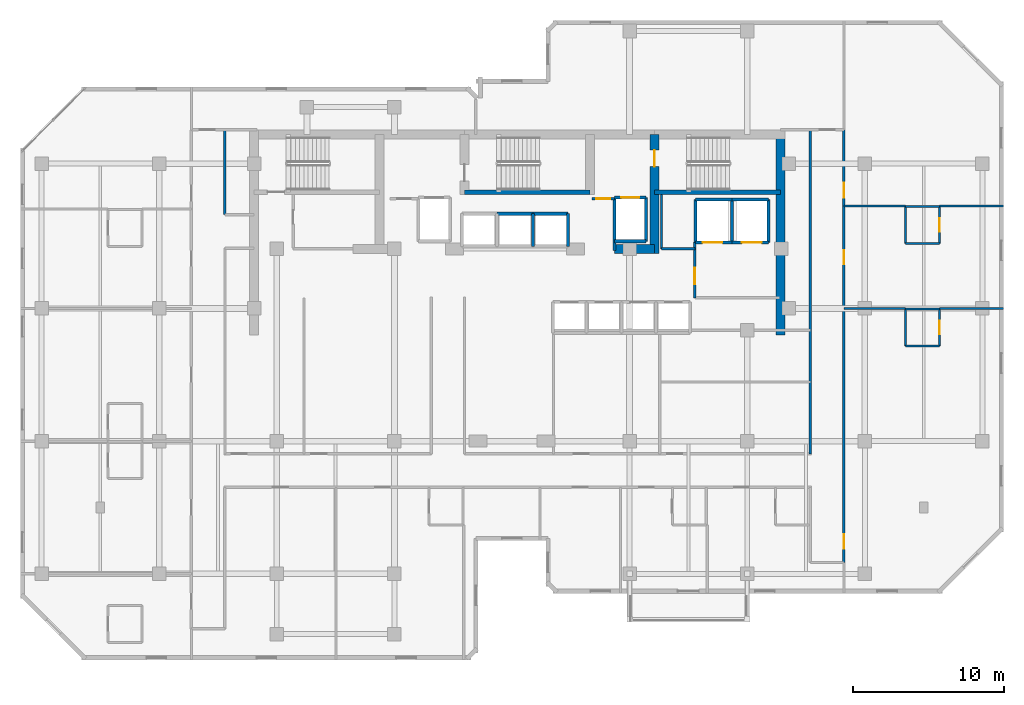
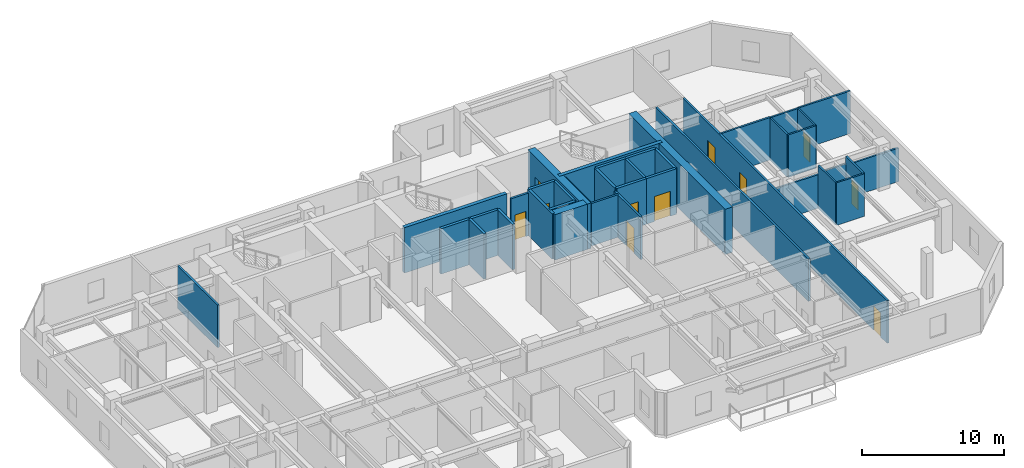
# One storey, part 7 of 11: 39 walls, 11 doors, 11 openings.
"""IFC4 building model written with IfcOpenShell, lengths in metres."""

from ifc_helpers import new_model, si_unit, direction, frame, frame_2d, origin, place, context, subcontext, project, spatial, rectangle, extrude, material, layer, layer_set, type_object, element, fill, save


model = new_model("IFC4")

# Units and contexts
model_context = context("Model", 3, precision=1e-05, world=origin(), true_north=direction((0.0, 1.0)))
body_context = subcontext(model_context, "Body", "Model", "MODEL_VIEW")
ifc_project = project(units=[si_unit("LENGTHUNIT", "METRE"), si_unit("AREAUNIT", "SQUARE_METRE"), si_unit("VOLUMEUNIT", "CUBIC_METRE"), si_unit("PLANEANGLEUNIT", "RADIAN"), si_unit("MASSUNIT", "GRAM", prefix="KILO")], contexts=[model_context])

# Site, building, storey
site_placement = place(None, origin())
site = spatial("IfcSite", under=ifc_project, at=site_placement, CompositionType="ELEMENT")
building_placement = place(site_placement, origin())
building = spatial("IfcBuilding", under=site, at=building_placement, Name="Kestravale Grand Hotel", CompositionType="ELEMENT")
storey_placement = place(building_placement, frame((0.0, 0.0, 192.89990234375)))
storey = spatial("IfcBuildingStorey", under=building, at=storey_placement, Name="L48", CompositionType="ELEMENT", Elevation=192.89990234375)

# Walls
ifc_material_1 = material(Name="Concrete f'c 50 MPa", Category="concrete")
ifc_layer_1 = layer(ifc_material_1, 0.60009765625)
ifc_layer_set_1 = layer_set([ifc_layer_1], Name="EW-CORE-600")
wall_type_1 = type_object("IfcWallType", Name="EW-CORE-600", PredefinedType="SHEAR", material=ifc_layer_set_1)
wall_1_placement = place(storey_placement, frame((56.820068359375, 27.050048828125, 0.0), z_axis=(0.0, 0.0, 1.0), x_axis=(0.0, 1.0, 0.0)))
element("IfcWall", 1, at=wall_1_placement, inside=storey, type_object=wall_type_1, Name="L48 core shear wall E1", PredefinedType="SHEAR", context=body_context, shape_type="SweptSolid", body=[
    extrude(rectangle(XDim=13.570068359375, YDim=0.60009765625, at=frame_2d((6.78515625, 0.0))), origin(), (0.0, 0.0, 1.0), 3.900146484375),
])
wall_2_placement = place(storey_placement, frame((45.81005859375, 32.75, 0.0), z_axis=(0.0, 0.0, 1.0), x_axis=(1.0, 0.0, 0.0)))
element("IfcWall", 2, at=wall_2_placement, inside=storey, type_object=wall_type_1, Name="L48 core shear wall S2", PredefinedType="SHEAR", context=body_context, shape_type="SweptSolid", body=[
    extrude(rectangle(XDim=2.639892578125, YDim=0.60009765625, at=frame_2d((1.31982421875, 0.0))), origin(), (0.0, 0.0, 1.0), 3.900146484375),
])

# Wall, opening, door
wall_3_placement = place(storey_placement, frame((48.449951171875, 32.449951171875, 0.0), z_axis=(0.0, 0.0, 1.0), x_axis=(0.0, 1.0, 0.0)))
wall_3 = element("IfcWall", 3, at=wall_3_placement, inside=storey, type_object=wall_type_1, Name="L48 core shear wall X4", PredefinedType="SHEAR", context=body_context, shape_type="SweptSolid", body=[
    extrude(rectangle(XDim=7.8701171875, YDim=0.60009765625, at=frame_2d((3.93505859375, 0.0))), origin(), (0.0, 0.0, 1.0), 3.900146484375),
])
opening_1_placement = place(wall_3_placement, frame((5.75, 0.0, 0.0)))
opening_1 = element("IfcOpeningElement", 4, at=opening_1_placement, cuts=wall_3, Name="Opening D-ST-1100", PredefinedType="OPENING", context=body_context, shape_type="SweptSolid", body=[
    extrude(rectangle(XDim=1.10009765625, YDim=2.14990234375, at=frame_2d((0.550048828125, 1.074951171875))), frame((0.0, 0.31005859375, 0.0), z_axis=(0.0, -1.0, 0.0), x_axis=(1.0, 0.0, 0.0)), (0.0, 0.0, 1.0), 0.6201171875),
])
ifc_material_2 = material(Name="Galvanised 90-minute fire-rated steel stair door", Category="steel")
door_type_1 = type_object("IfcDoorType", Name="D-ST-1100", OperationType="NOTDEFINED", PredefinedType="DOOR", material=ifc_material_2)
door_1_placement = place(opening_1_placement, origin())
door_1 = element("IfcDoor", 5, at=door_1_placement, inside=storey, type_object=door_type_1, Name="L48 Stair ST-3 FSAE fire door", OperationType="SINGLE_SWING_RIGHT", OverallHeight=2.14990234375, OverallWidth=1.10009765625, PredefinedType="DOOR", context=body_context, shape_type="SweptSolid", body=[
    extrude(rectangle(XDim=1.10009765625, YDim=2.14990234375, at=frame_2d((0.550048828125, 1.074951171875))), frame((0.0, 0.02490234375, 0.0), z_axis=(0.0, -1.0, 0.0), x_axis=(1.0, 0.0, 0.0)), (0.0, 0.0, 1.0), 0.050048828125),
])
fill(opening_1, door_1)

# Walls
ifc_material_3 = material(Name="Concrete f'c 45 MPa", Category="concrete")
ifc_layer_2 = layer(ifc_material_3, 0.300048828125)
ifc_layer_set_2 = layer_set([ifc_layer_2], Name="EW-STAIR-300")
wall_type_2 = type_object("IfcWallType", Name="EW-STAIR-300", PredefinedType="SHEAR", material=ifc_layer_set_2)
wall_4_placement = place(storey_placement, frame((35.85009765625, 36.52001953125, 0.0), z_axis=(0.0, 0.0, 1.0), x_axis=(1.0, 0.0, 0.0)))
element("IfcWall", 6, at=wall_4_placement, inside=storey, type_object=wall_type_2, Name="L48 stair enclosure shear wall SST2", PredefinedType="SHEAR", context=body_context, shape_type="SweptSolid", body=[
    extrude(rectangle(XDim=8.329833984375, YDim=0.300048828125, at=frame_2d((4.1650390625, 0.0))), origin(), (0.0, 0.0, 1.0), 3.900146484375),
])
wall_5_placement = place(storey_placement, frame((48.449951171875, 36.52001953125, 0.0), z_axis=(0.0, 0.0, 1.0), x_axis=(1.0, 0.0, 0.0)))
element("IfcWall", 7, at=wall_5_placement, inside=storey, type_object=wall_type_2, Name="L48 stair enclosure shear wall SST3", PredefinedType="SHEAR", context=body_context, shape_type="SweptSolid", body=[
    extrude(rectangle(XDim=8.3701171875, YDim=0.300048828125, at=frame_2d((4.18505859375, 0.0))), origin(), (0.0, 0.0, 1.0), 3.900146484375),
])

# Wall, opening, door
ifc_material_4 = material(Name="Acoustic fire-rated gypsum board partition", Category="other")
ifc_layer_3 = layer(ifc_material_4, 0.159912109375)
ifc_layer_set_3 = layer_set([ifc_layer_3], Name="IW-CORR-160")
wall_type_3 = type_object("IfcWallType", Name="IW-CORR-160", PredefinedType="PARTITIONING", material=ifc_layer_set_3)
wall_6_placement = place(storey_placement, frame((51.1201171875, 29.5, 0.0), z_axis=(0.0, 0.0, 1.0), x_axis=(0.0, 1.0, 0.0)))
wall_6 = element("IfcWall", 8, at=wall_6_placement, inside=storey, type_object=wall_type_3, Name="W-L48-SVCLOB-W", PredefinedType="PARTITIONING", context=body_context, shape_type="SweptSolid", body=[
    extrude(rectangle(XDim=3.699951171875, YDim=0.159912109375, at=frame_2d((1.85009765625, 0.0))), origin(), (0.0, 0.0, 1.0), 3.650146484375),
])
opening_2_placement = place(wall_6_placement, frame((0.89990234375, 0.0, 0.0)))
opening_2 = element("IfcOpeningElement", 9, at=opening_2_placement, cuts=wall_6, Name="Opening D-CORR-1100", PredefinedType="OPENING", context=body_context, shape_type="SweptSolid", body=[
    extrude(rectangle(XDim=1.10009765625, YDim=2.14990234375, at=frame_2d((0.550048828125, 1.074951171875))), frame((0.0, 0.08984375, 0.0), z_axis=(0.0, -1.0, 0.0), x_axis=(1.0, 0.0, 0.0)), (0.0, 0.0, 1.0), 0.179931640625),
])
ifc_material_5 = material(Name="Single-leaf service vestibule fire door", Category="steel")
door_type_2 = type_object("IfcDoorType", Name="D-CORR-1100", OperationType="NOTDEFINED", PredefinedType="DOOR", material=ifc_material_5)
door_2_placement = place(opening_2_placement, origin())
door_2 = element("IfcDoor", 10, at=door_2_placement, inside=storey, type_object=door_type_2, Name="L48 service lift lobby door", OperationType="SINGLE_SWING_LEFT", OverallHeight=2.14990234375, OverallWidth=1.10009765625, PredefinedType="DOOR", context=body_context, shape_type="SweptSolid", body=[
    extrude(rectangle(XDim=1.10009765625, YDim=2.14990234375, at=frame_2d((0.550048828125, 1.074951171875))), frame((0.0, 0.02490234375, 0.0), z_axis=(0.0, -1.0, 0.0), x_axis=(1.0, 0.0, 0.0)), (0.0, 0.0, 1.0), 0.050048828125),
])
fill(opening_2, door_2)

# Walls
wall_7_placement = place(storey_placement, frame((48.919921875, 32.75, 0.0), z_axis=(0.0, 0.0, 1.0), x_axis=(1.0, 0.0, 0.0)))
element("IfcWall", 11, at=wall_7_placement, inside=storey, type_object=wall_type_3, Name="W-L48-CES", PredefinedType="PARTITIONING", context=body_context, shape_type="SweptSolid", body=[
    extrude(rectangle(XDim=2.2001953125, YDim=0.159912109375, at=frame_2d((1.10009765625, 0.0))), origin(), (0.0, 0.0, 1.0), 3.650146484375),
])
wall_8_placement = place(storey_placement, frame((19.9599609375, 35.02001953125, 0.0), z_axis=(0.0, 0.0, 1.0), x_axis=(0.0, 1.0, 0.0)))
element("IfcWall", 12, at=wall_8_placement, inside=storey, type_object=wall_type_3, Name="W-L48-SW-EN", PredefinedType="PARTITIONING", context=body_context, shape_type="SweptSolid", body=[
    extrude(rectangle(XDim=5.6298828125, YDim=0.159912109375, at=frame_2d((2.81494140625, 0.0))), origin(), (0.0, 0.0, 1.0), 3.650146484375),
])

# Wall, openings, doors
wall_9_placement = place(storey_placement, frame((61.010009765625, 11.949951171875, 0.0), z_axis=(0.0, 0.0, 1.0), x_axis=(0.0, 1.0, 0.0)))
wall_9 = element("IfcWall", 13, at=wall_9_placement, inside=storey, type_object=wall_type_3, Name="W-L48-SE-E", PredefinedType="PARTITIONING", context=body_context, shape_type="SweptSolid", body=[
    extrude(rectangle(XDim=28.699951171875, YDim=0.159912109375, at=frame_2d((14.35009765625, 0.0))), origin(), (0.0, 0.0, 1.0), 3.650146484375),
])
opening_3_placement = place(wall_9_placement, frame((0.927978515625, 0.0, 0.0)))
opening_3 = element("IfcOpeningElement", 14, at=opening_3_placement, cuts=wall_9, Name="Opening D-GUEST-950", PredefinedType="OPENING", context=body_context, shape_type="SweptSolid", body=[
    extrude(rectangle(XDim=0.949951171875, YDim=2.10009765625, at=frame_2d((0.47509765625, 1.050048828125))), frame((0.0, 0.08984375, 0.0), z_axis=(0.0, -1.0, 0.0), x_axis=(1.0, 0.0, 0.0)), (0.0, 0.0, 1.0), 0.179931640625),
])
opening_4_placement = place(wall_9_placement, frame((19.77490234375, 0.0, 0.0)))
opening_4 = element("IfcOpeningElement", 15, at=opening_4_placement, cuts=wall_9, Name="Opening D-GUEST-950", PredefinedType="OPENING", context=body_context, shape_type="SweptSolid", body=[
    extrude(rectangle(XDim=0.949951171875, YDim=2.10009765625, at=frame_2d((0.47509765625, 1.050048828125))), frame((0.0, 0.08984375, 0.0), z_axis=(0.0, -1.0, 0.0), x_axis=(1.0, 0.0, 0.0)), (0.0, 0.0, 1.0), 0.179931640625),
])
opening_5_placement = place(wall_9_placement, frame((24.199951171875, 0.0, 0.0)))
opening_5 = element("IfcOpeningElement", 16, at=opening_5_placement, cuts=wall_9, Name="Opening D-GUEST-1000", PredefinedType="OPENING", context=body_context, shape_type="SweptSolid", body=[
    extrude(rectangle(XDim=1.0, YDim=2.14990234375, at=frame_2d((0.5, 1.074951171875))), frame((0.0, 0.08984375, 0.0), z_axis=(0.0, -1.0, 0.0), x_axis=(1.0, 0.0, 0.0)), (0.0, 0.0, 1.0), 0.179931640625),
])
ifc_material_6 = material(Name="Accessible walnut veneer hotel entrance fire door", Category="wood")
door_type_3 = type_object("IfcDoorType", Name="D-GUEST-1000", OperationType="NOTDEFINED", PredefinedType="DOOR", material=ifc_material_6)
door_3_placement = place(opening_5_placement, origin())
door_3 = element("IfcDoor", 17, at=door_3_placement, inside=storey, type_object=door_type_3, Name="D-L48-AMEW", OperationType="SINGLE_SWING_LEFT", OverallHeight=2.14990234375, OverallWidth=1.0, PredefinedType="DOOR", context=body_context, shape_type="SweptSolid", body=[
    extrude(rectangle(XDim=1.0, YDim=2.14990234375, at=frame_2d((0.5, 1.074951171875))), frame((0.0, 0.02490234375, 0.0), z_axis=(0.0, -1.0, 0.0), x_axis=(1.0, 0.0, 0.0)), (0.0, 0.0, 1.0), 0.050048828125),
])
fill(opening_5, door_3)
ifc_material_7 = material(Name="Walnut veneer hotel guestroom entrance fire door", Category="wood")
door_type_4 = type_object("IfcDoorType", Name="D-GUEST-950", OperationType="NOTDEFINED", PredefinedType="DOOR", material=ifc_material_7)
door_4_placement = place(opening_3_placement, origin())
door_4 = element("IfcDoor", 18, at=door_4_placement, inside=storey, type_object=door_type_4, Name="D-L48-U08-ENT", OperationType="SINGLE_SWING_RIGHT", OverallHeight=2.10009765625, OverallWidth=0.949951171875, PredefinedType="DOOR", context=body_context, shape_type="SweptSolid", body=[
    extrude(rectangle(XDim=0.949951171875, YDim=2.10009765625, at=frame_2d((0.47509765625, 1.050048828125))), frame((0.0, 0.02490234375, 0.0), z_axis=(0.0, -1.0, 0.0), x_axis=(1.0, 0.0, 0.0)), (0.0, 0.0, 1.0), 0.050048828125),
])
fill(opening_3, door_4)
door_5_placement = place(opening_4_placement, origin())
door_5 = element("IfcDoor", 19, at=door_5_placement, inside=storey, type_object=door_type_4, Name="D-L48-U09-ENT", OperationType="SINGLE_SWING_RIGHT", OverallHeight=2.10009765625, OverallWidth=0.949951171875, PredefinedType="DOOR", context=body_context, shape_type="SweptSolid", body=[
    extrude(rectangle(XDim=0.949951171875, YDim=2.10009765625, at=frame_2d((0.47509765625, 1.050048828125))), frame((0.0, 0.02490234375, 0.0), z_axis=(0.0, -1.0, 0.0), x_axis=(1.0, 0.0, 0.0)), (0.0, 0.0, 1.0), 0.050048828125),
])
fill(opening_4, door_5)

# Wall
wall_10_placement = place(storey_placement, frame((58.7900390625, 19.159912109375, 0.0), z_axis=(0.0, 0.0, 1.0), x_axis=(0.0, 1.0, 0.0)))
element("IfcWall", 20, at=wall_10_placement, inside=storey, type_object=wall_type_3, Name="W-L48-SE-WU", PredefinedType="PARTITIONING", context=body_context, shape_type="SweptSolid", body=[
    extrude(rectangle(XDim=21.489990234375, YDim=0.159912109375, at=frame_2d((10.7451171875, 0.0))), origin(), (0.0, 0.0, 1.0), 3.650146484375),
])

# Wall, opening, door
ifc_material_8 = material(Name="Fire-rated gypsum board on steel studs with mineral wool", Category="steel")
ifc_layer_4 = layer(ifc_material_8, 0.179931640625)
ifc_layer_set_4 = layer_set([ifc_layer_4], Name="IW-FSAE-180")
wall_type_4 = type_object("IfcWallType", Name="IW-FSAE-180", PredefinedType="PARTITIONING", material=ifc_layer_set_4)
wall_11_placement = place(storey_placement, frame((44.300048828125, 36.080078125, 0.0), z_axis=(0.0, 0.0, 1.0), x_axis=(1.0, 0.0, 0.0)))
wall_11 = element("IfcWall", 21, at=wall_11_placement, inside=storey, type_object=wall_type_4, Name="L48 FSAE Lobby 2 smoke barrier", PredefinedType="PARTITIONING", context=body_context, shape_type="SweptSolid", body=[
    extrude(rectangle(XDim=1.5, YDim=0.179931640625, at=frame_2d((0.75, 0.0))), origin(), (0.0, 0.0, 1.0), 3.650146484375),
])
opening_6_placement = place(wall_11_placement, frame((0.300048828125, 0.0, 0.0)))
opening_6 = element("IfcOpeningElement", 22, at=opening_6_placement, cuts=wall_11, Name="Opening D-FSAE-1000", PredefinedType="OPENING", context=body_context, shape_type="SweptSolid", body=[
    extrude(rectangle(XDim=0.89990234375, YDim=2.14990234375, at=frame_2d((0.449951171875, 1.074951171875))), frame((0.0, 0.099853515625, 0.0), z_axis=(0.0, -1.0, 0.0), x_axis=(1.0, 0.0, 0.0)), (0.0, 0.0, 1.0), 0.199951171875),
])
ifc_material_9 = material(Name="Smoke-gasketed FSAE lobby fire door", Category="steel")
door_type_5 = type_object("IfcDoorType", Name="D-FSAE-1000", OperationType="NOTDEFINED", PredefinedType="DOOR", material=ifc_material_9)
door_6_placement = place(opening_6_placement, origin())
door_6 = element("IfcDoor", 23, at=door_6_placement, inside=storey, type_object=door_type_5, Name="L48 FSAE Lobby 2 fire door", OperationType="SINGLE_SWING_LEFT", OverallHeight=2.14990234375, OverallWidth=0.89990234375, PredefinedType="DOOR", context=body_context, shape_type="SweptSolid", body=[
    extrude(rectangle(XDim=0.89990234375, YDim=2.14990234375, at=frame_2d((0.449951171875, 1.074951171875))), frame((0.0, 0.02490234375, 0.0), z_axis=(0.0, -1.0, 0.0), x_axis=(1.0, 0.0, 0.0)), (0.0, 0.0, 1.0), 0.050048828125),
])
fill(opening_6, door_6)

# Wall
ifc_material_10 = material(Name="Moisture-resistant tile-backer plumbing chase wall", Category="other")
ifc_layer_5 = layer(ifc_material_10, 0.139892578125)
ifc_layer_set_5 = layer_set([ifc_layer_5], Name="IW-PLB-140")
wall_type_5 = type_object("IfcWallType", Name="IW-PLB-140", PredefinedType="PLUMBINGWALL", material=ifc_layer_set_5)
wall_12_placement = place(storey_placement, frame((65.10009765625, 26.31005859375, 0.0), z_axis=(0.0, 0.0, 1.0), x_axis=(0.0, 1.0, 0.0)))
element("IfcWall", 24, at=wall_12_placement, inside=storey, type_object=wall_type_5, Name="W-L48-U08-BW", PredefinedType="PLUMBINGWALL", context=body_context, shape_type="SweptSolid", body=[
    extrude(rectangle(XDim=2.449951171875, YDim=0.139892578125, at=frame_2d((1.22509765625, 0.0))), origin(), (0.0, 0.0, 1.0), 3.650146484375),
])

# Wall, opening, door
wall_13_placement = place(storey_placement, frame((67.35009765625, 26.31005859375, 0.0), z_axis=(0.0, 0.0, 1.0), x_axis=(0.0, 1.0, 0.0)))
wall_13 = element("IfcWall", 25, at=wall_13_placement, inside=storey, type_object=wall_type_5, Name="W-L48-U08-BE", PredefinedType="PLUMBINGWALL", context=body_context, shape_type="SweptSolid", body=[
    extrude(rectangle(XDim=2.449951171875, YDim=0.139892578125, at=frame_2d((1.22509765625, 0.0))), origin(), (0.0, 0.0, 1.0), 3.650146484375),
])
opening_7_placement = place(wall_13_placement, frame((0.784912109375, 0.0, 0.0)))
opening_7 = element("IfcOpeningElement", 26, at=opening_7_placement, cuts=wall_13, Name="Opening D-BATH-880", PredefinedType="OPENING", context=body_context, shape_type="SweptSolid", body=[
    extrude(rectangle(XDim=0.8798828125, YDim=2.050048828125, at=frame_2d((0.43994140625, 1.02490234375))), frame((0.0, 0.079833984375, 0.0), z_axis=(0.0, -1.0, 0.0), x_axis=(1.0, 0.0, 0.0)), (0.0, 0.0, 1.0), 0.159912109375),
])
ifc_material_11 = material(Name="Moisture-sealed walnut en-suite bathroom door", Category="wood")
door_type_6 = type_object("IfcDoorType", Name="D-BATH-880", OperationType="NOTDEFINED", PredefinedType="DOOR", material=ifc_material_11)
door_7_placement = place(opening_7_placement, origin())
door_7 = element("IfcDoor", 27, at=door_7_placement, inside=storey, type_object=door_type_6, Name="D-L48-U08-BATH", OperationType="SINGLE_SWING_LEFT", OverallHeight=2.050048828125, OverallWidth=0.8798828125, PredefinedType="DOOR", context=body_context, shape_type="SweptSolid", body=[
    extrude(rectangle(XDim=0.8798828125, YDim=2.050048828125, at=frame_2d((0.43994140625, 1.02490234375))), frame((0.0, 0.02490234375, 0.0), z_axis=(0.0, -1.0, 0.0), x_axis=(1.0, 0.0, 0.0)), (0.0, 0.0, 1.0), 0.050048828125),
])
fill(opening_7, door_7)

# Walls
wall_14_placement = place(storey_placement, frame((65.10009765625, 26.31005859375, 0.0), z_axis=(0.0, 0.0, 1.0), x_axis=(1.0, 0.0, 0.0)))
element("IfcWall", 28, at=wall_14_placement, inside=storey, type_object=wall_type_5, Name="W-L48-U08-BS", PredefinedType="PLUMBINGWALL", context=body_context, shape_type="SweptSolid", body=[
    extrude(rectangle(XDim=2.25, YDim=0.139892578125, at=frame_2d((1.125, 0.0))), origin(), (0.0, 0.0, 1.0), 3.650146484375),
])
wall_15_placement = place(storey_placement, frame((65.10009765625, 28.760009765625, 0.0), z_axis=(0.0, 0.0, 1.0), x_axis=(1.0, 0.0, 0.0)))
element("IfcWall", 29, at=wall_15_placement, inside=storey, type_object=wall_type_5, Name="W-L48-U08-BN", PredefinedType="PLUMBINGWALL", context=body_context, shape_type="SweptSolid", body=[
    extrude(rectangle(XDim=2.25, YDim=0.139892578125, at=frame_2d((1.125, 0.0))), origin(), (0.0, 0.0, 1.0), 3.0380859375),
])
wall_16_placement = place(storey_placement, frame((65.10009765625, 33.110107421875, 0.0), z_axis=(0.0, 0.0, 1.0), x_axis=(0.0, 1.0, 0.0)))
element("IfcWall", 30, at=wall_16_placement, inside=storey, type_object=wall_type_5, Name="W-L48-U09-BW", PredefinedType="PLUMBINGWALL", context=body_context, shape_type="SweptSolid", body=[
    extrude(rectangle(XDim=2.449951171875, YDim=0.139892578125, at=frame_2d((1.22509765625, 0.0))), origin(), (0.0, 0.0, 1.0), 3.650146484375),
])

# Wall, opening, door
wall_17_placement = place(storey_placement, frame((67.35009765625, 33.110107421875, 0.0), z_axis=(0.0, 0.0, 1.0), x_axis=(0.0, 1.0, 0.0)))
wall_17 = element("IfcWall", 31, at=wall_17_placement, inside=storey, type_object=wall_type_5, Name="W-L48-U09-BE", PredefinedType="PLUMBINGWALL", context=body_context, shape_type="SweptSolid", body=[
    extrude(rectangle(XDim=2.449951171875, YDim=0.139892578125, at=frame_2d((1.22509765625, 0.0))), origin(), (0.0, 0.0, 1.0), 3.650146484375),
])
opening_8_placement = place(wall_17_placement, frame((0.784912109375, 0.0, 0.0)))
opening_8 = element("IfcOpeningElement", 32, at=opening_8_placement, cuts=wall_17, Name="Opening D-BATH-880", PredefinedType="OPENING", context=body_context, shape_type="SweptSolid", body=[
    extrude(rectangle(XDim=0.8798828125, YDim=2.050048828125, at=frame_2d((0.43994140625, 1.02490234375))), frame((0.0, 0.079833984375, 0.0), z_axis=(0.0, -1.0, 0.0), x_axis=(1.0, 0.0, 0.0)), (0.0, 0.0, 1.0), 0.159912109375),
])
door_8_placement = place(opening_8_placement, origin())
door_8 = element("IfcDoor", 33, at=door_8_placement, inside=storey, type_object=door_type_6, Name="D-L48-U09-BATH", OperationType="SINGLE_SWING_LEFT", OverallHeight=2.050048828125, OverallWidth=0.8798828125, PredefinedType="DOOR", context=body_context, shape_type="SweptSolid", body=[
    extrude(rectangle(XDim=0.8798828125, YDim=2.050048828125, at=frame_2d((0.43994140625, 1.02490234375))), frame((0.0, 0.02490234375, 0.0), z_axis=(0.0, -1.0, 0.0), x_axis=(1.0, 0.0, 0.0)), (0.0, 0.0, 1.0), 0.050048828125),
])
fill(opening_8, door_8)

# Walls
for number, where, z_axis, x_axis, name in (
    (34, (65.10009765625, 33.110107421875, 0.0), (0.0, 0.0, 1.0), (1.0, 0.0, 0.0), "W-L48-U09-BS"),
    (35, (65.10009765625, 35.56005859375, 0.0), (0.0, 0.0, 1.0), (1.0, 0.0, 0.0), "W-L48-U09-BN"),
):
    element("IfcWall", number, at=place(storey_placement, frame(where, z_axis=z_axis, x_axis=x_axis)), inside=storey, type_object=wall_type_5, Name=name, PredefinedType="PLUMBINGWALL", context=body_context, shape_type="SweptSolid", body=[
        extrude(rectangle(XDim=2.25, YDim=0.139892578125, at=frame_2d((1.125, 0.0))), origin(), (0.0, 0.0, 1.0), 3.650146484375),
    ])
ifc_material_12 = material(Name="Concrete f'c 45 MPa", Category="concrete")
ifc_layer_6 = layer(ifc_material_12, 0.199951171875)
ifc_layer_set_6 = layer_set([ifc_layer_6], Name="IW-SHAFT-200")
wall_type_6 = type_object("IfcWallType", Name="IW-SHAFT-200", PredefinedType="SHEAR", material=ifc_layer_set_6)
for number, where, z_axis, x_axis, name in (
    (36, (40.39990234375, 32.919921875, 0.0), (0.0, 0.0, 1.0), (0.0, 1.0, 0.0), "L48 PL-X3 west shaft wall"),
    (37, (42.719970703125, 32.919921875, 0.0), (0.0, 0.0, 1.0), (0.0, 1.0, 0.0), "L48 PL-X3 east shaft wall"),
):
    element("IfcWall", number, at=place(storey_placement, frame(where, z_axis=z_axis, x_axis=x_axis)), inside=storey, type_object=wall_type_6, Name=name, PredefinedType="SHEAR", context=body_context, shape_type="SweptSolid", body=[
        extrude(rectangle(XDim=2.16015625, YDim=0.199951171875, at=frame_2d((1.080078125, 0.0))), origin(), (0.0, 0.0, 1.0), 3.900146484375),
    ])
for number, where, z_axis, x_axis, name in (
    (38, (51.179931640625, 33.169921875, 0.0), (0.0, 0.0, 1.0), (0.0, 1.0, 0.0), "L48 SL-1 west shaft wall"),
    (39, (53.60009765625, 33.169921875, 0.0), (0.0, 0.0, 1.0), (0.0, 1.0, 0.0), "L48 SL-2 west shaft wall"),
    (40, (56.02001953125, 33.169921875, 0.0), (0.0, 0.0, 1.0), (0.0, 1.0, 0.0), "L48 SL-2 east shaft wall"),
):
    element("IfcWall", number, at=place(storey_placement, frame(where, z_axis=z_axis, x_axis=x_axis)), inside=storey, type_object=wall_type_6, Name=name, PredefinedType="SHEAR", context=body_context, shape_type="SweptSolid", body=[
        extrude(rectangle(XDim=2.860107421875, YDim=0.199951171875, at=frame_2d((1.43017578125, 0.0))), origin(), (0.0, 0.0, 1.0), 3.900146484375),
    ])
wall_18_placement = place(storey_placement, frame((45.804931640625, 32.64990234375, 0.0), z_axis=(0.0, 0.0, 1.0), x_axis=(0.0, 1.0, 0.0)))
element("IfcWall", 41, at=wall_18_placement, inside=storey, type_object=wall_type_6, Name="L48 FL-2 west shaft wall", PredefinedType="SHEAR", context=body_context, shape_type="SweptSolid", body=[
    extrude(rectangle(XDim=3.505126953125, YDim=0.199951171875, at=frame_2d((1.75244140625, 0.0))), origin(), (0.0, 0.0, 1.0), 3.900146484375),
])
wall_19_placement = place(storey_placement, frame((47.89501953125, 33.2451171875, 0.0), z_axis=(0.0, 0.0, 1.0), x_axis=(0.0, 1.0, 0.0)))
element("IfcWall", 42, at=wall_19_placement, inside=storey, type_object=wall_type_6, Name="L48 FL-2 east shaft wall", PredefinedType="SHEAR", context=body_context, shape_type="SweptSolid", body=[
    extrude(rectangle(XDim=2.909912109375, YDim=0.199951171875, at=frame_2d((1.455078125, 0.0))), origin(), (0.0, 0.0, 1.0), 3.900146484375),
])
ifc_material_13 = material(Name="Concrete f'c 45 MPa", Category="concrete")
ifc_layer_7 = layer(ifc_material_13, 0.219970703125)
ifc_layer_set_7 = layer_set([ifc_layer_7], Name="IW-SHAFT-220")
wall_type_7 = type_object("IfcWallType", Name="IW-SHAFT-220", PredefinedType="SHEAR", material=ifc_layer_set_7)
wall_20_placement = place(storey_placement, frame((38.0, 35.080078125, 0.0), z_axis=(0.0, 0.0, 1.0), x_axis=(1.0, 0.0, 0.0)))
element("IfcWall", 43, at=wall_20_placement, inside=storey, type_object=wall_type_7, Name="L48 PL-X2 north shaft wall", PredefinedType="SHEAR", context=body_context, shape_type="SweptSolid", body=[
    extrude(rectangle(XDim=2.39990234375, YDim=0.219970703125, at=frame_2d((1.199951171875, 0.0))), origin(), (0.0, 0.0, 1.0), 3.900146484375),
])
wall_21_placement = place(storey_placement, frame((40.39990234375, 35.080078125, 0.0), z_axis=(0.0, 0.0, 1.0), x_axis=(1.0, 0.0, 0.0)))
element("IfcWall", 44, at=wall_21_placement, inside=storey, type_object=wall_type_7, Name="L48 PL-X3 north shaft wall", PredefinedType="SHEAR", context=body_context, shape_type="SweptSolid", body=[
    extrude(rectangle(XDim=2.320068359375, YDim=0.219970703125, at=frame_2d((1.16015625, 0.0))), origin(), (0.0, 0.0, 1.0), 3.900146484375),
])
wall_22_placement = place(storey_placement, frame((51.179931640625, 36.030029296875, 0.0), z_axis=(0.0, 0.0, 1.0), x_axis=(1.0, 0.0, 0.0)))
element("IfcWall", 45, at=wall_22_placement, inside=storey, type_object=wall_type_7, Name="L48 SL-1 north shaft wall", PredefinedType="SHEAR", context=body_context, shape_type="SweptSolid", body=[
    extrude(rectangle(XDim=2.420166015625, YDim=0.219970703125, at=frame_2d((1.2099609375, 0.0))), origin(), (0.0, 0.0, 1.0), 3.900146484375),
])

# Wall, opening, door
wall_23_placement = place(storey_placement, frame((51.179931640625, 33.169921875, 0.0), z_axis=(0.0, 0.0, 1.0), x_axis=(1.0, 0.0, 0.0)))
wall_23 = element("IfcWall", 46, at=wall_23_placement, inside=storey, type_object=wall_type_7, Name="L48 SL-1 south shaft wall", PredefinedType="SHEAR", context=body_context, shape_type="SweptSolid", body=[
    extrude(rectangle(XDim=2.420166015625, YDim=0.219970703125, at=frame_2d((1.2099609375, 0.0))), origin(), (0.0, 0.0, 1.0), 3.900146484375),
])
opening_9_placement = place(wall_23_placement, frame((0.469970703125, 0.0, 0.0)))
opening_9 = element("IfcOpeningElement", 47, at=opening_9_placement, cuts=wall_23, Name="Opening LD-SVC-1300", PredefinedType="OPENING", context=body_context, shape_type="SweptSolid", body=[
    extrude(rectangle(XDim=1.300048828125, YDim=2.14990234375, at=frame_2d((0.64990234375, 1.074951171875))), frame((0.0, 0.119873046875, 0.0), z_axis=(0.0, -1.0, 0.0), x_axis=(1.0, 0.0, 0.0)), (0.0, 0.0, 1.0), 0.239990234375),
])
ifc_material_14 = material(Name="Heavy-duty service sliding elevator landing door", Category="steel")
door_type_7 = type_object("IfcDoorType", Name="LD-SVC-1300", OperationType="NOTDEFINED", PredefinedType="DOOR", material=ifc_material_14)
door_9_placement = place(opening_9_placement, origin())
door_9 = element("IfcDoor", 48, at=door_9_placement, inside=storey, type_object=door_type_7, Name="L48 SL-1 elevator landing sliding door", OperationType="DOUBLE_DOOR_SLIDING", OverallHeight=2.14990234375, OverallWidth=1.300048828125, PredefinedType="DOOR", context=body_context, shape_type="SweptSolid", body=[
    extrude(rectangle(XDim=1.300048828125, YDim=2.14990234375, at=frame_2d((0.64990234375, 1.074951171875))), frame((0.0, 0.02490234375, 0.0), z_axis=(0.0, -1.0, 0.0), x_axis=(1.0, 0.0, 0.0)), (0.0, 0.0, 1.0), 0.050048828125),
])
fill(opening_9, door_9)

# Wall
wall_24_placement = place(storey_placement, frame((53.60009765625, 36.030029296875, 0.0), z_axis=(0.0, 0.0, 1.0), x_axis=(1.0, 0.0, 0.0)))
element("IfcWall", 49, at=wall_24_placement, inside=storey, type_object=wall_type_7, Name="L48 SL-2 north shaft wall", PredefinedType="SHEAR", context=body_context, shape_type="SweptSolid", body=[
    extrude(rectangle(XDim=2.419921875, YDim=0.219970703125, at=frame_2d((1.2099609375, 0.0))), origin(), (0.0, 0.0, 1.0), 3.900146484375),
])

# Wall, opening, door
wall_25_placement = place(storey_placement, frame((53.60009765625, 33.169921875, 0.0), z_axis=(0.0, 0.0, 1.0), x_axis=(1.0, 0.0, 0.0)))
wall_25 = element("IfcWall", 50, at=wall_25_placement, inside=storey, type_object=wall_type_7, Name="L48 SL-2 south shaft wall", PredefinedType="SHEAR", context=body_context, shape_type="SweptSolid", body=[
    extrude(rectangle(XDim=2.419921875, YDim=0.219970703125, at=frame_2d((1.2099609375, 0.0))), origin(), (0.0, 0.0, 1.0), 3.900146484375),
])
opening_10_placement = place(wall_25_placement, frame((0.64990234375, 0.0, 0.0)))
opening_10 = element("IfcOpeningElement", 51, at=opening_10_placement, cuts=wall_25, Name="Opening LD-SVC-1300", PredefinedType="OPENING", context=body_context, shape_type="SweptSolid", body=[
    extrude(rectangle(XDim=1.300048828125, YDim=2.14990234375, at=frame_2d((0.64990234375, 1.074951171875))), frame((0.0, 0.119873046875, 0.0), z_axis=(0.0, -1.0, 0.0), x_axis=(1.0, 0.0, 0.0)), (0.0, 0.0, 1.0), 0.239990234375),
])
door_10_placement = place(opening_10_placement, origin())
door_10 = element("IfcDoor", 52, at=door_10_placement, inside=storey, type_object=door_type_7, Name="L48 SL-2 elevator landing sliding door", OperationType="DOUBLE_DOOR_SLIDING", OverallHeight=2.14990234375, OverallWidth=1.300048828125, PredefinedType="DOOR", context=body_context, shape_type="SweptSolid", body=[
    extrude(rectangle(XDim=1.300048828125, YDim=2.14990234375, at=frame_2d((0.64990234375, 1.074951171875))), frame((0.0, 0.02490234375, 0.0), z_axis=(0.0, -1.0, 0.0), x_axis=(1.0, 0.0, 0.0)), (0.0, 0.0, 1.0), 0.050048828125),
])
fill(opening_10, door_10)

wall_26_placement = place(storey_placement, frame((45.804931640625, 36.155029296875, 0.0), z_axis=(0.0, 0.0, 1.0), x_axis=(1.0, 0.0, 0.0)))
wall_26 = element("IfcWall", 53, at=wall_26_placement, inside=storey, type_object=wall_type_7, Name="L48 FL-2 north shaft wall", PredefinedType="SHEAR", context=body_context, shape_type="SweptSolid", body=[
    extrude(rectangle(XDim=2.090087890625, YDim=0.219970703125, at=frame_2d((1.044921875, 0.0))), origin(), (0.0, 0.0, 1.0), 3.900146484375),
])
opening_11_placement = place(wall_26_placement, frame((0.445068359375, 0.0, 0.0)))
opening_11 = element("IfcOpeningElement", 54, at=opening_11_placement, cuts=wall_26, Name="Opening LD-FSAE-1200", PredefinedType="OPENING", context=body_context, shape_type="SweptSolid", body=[
    extrude(rectangle(XDim=1.199951171875, YDim=2.14990234375, at=frame_2d((0.60009765625, 1.074951171875))), frame((0.0, 0.119873046875, 0.0), z_axis=(0.0, -1.0, 0.0), x_axis=(1.0, 0.0, 0.0)), (0.0, 0.0, 1.0), 0.239990234375),
])
ifc_material_15 = material(Name="Stainless fire-service sliding elevator landing door", Category="steel")
door_type_8 = type_object("IfcDoorType", Name="LD-FSAE-1200", OperationType="NOTDEFINED", PredefinedType="DOOR", material=ifc_material_15)
door_11_placement = place(opening_11_placement, origin())
door_11 = element("IfcDoor", 55, at=door_11_placement, inside=storey, type_object=door_type_8, Name="L48 FL-2 elevator landing sliding door", OperationType="DOUBLE_DOOR_SLIDING", OverallHeight=2.14990234375, OverallWidth=1.199951171875, PredefinedType="DOOR", context=body_context, shape_type="SweptSolid", body=[
    extrude(rectangle(XDim=1.199951171875, YDim=2.14990234375, at=frame_2d((0.60009765625, 1.074951171875))), frame((0.0, 0.02490234375, 0.0), z_axis=(0.0, -1.0, 0.0), x_axis=(1.0, 0.0, 0.0)), (0.0, 0.0, 1.0), 0.050048828125),
])
fill(opening_11, door_11)

# Walls
wall_27_placement = place(storey_placement, frame((45.804931640625, 33.2451171875, 0.0), z_axis=(0.0, 0.0, 1.0), x_axis=(1.0, 0.0, 0.0)))
element("IfcWall", 56, at=wall_27_placement, inside=storey, type_object=wall_type_7, Name="L48 FL-2 south shaft wall", PredefinedType="SHEAR", context=body_context, shape_type="SweptSolid", body=[
    extrude(rectangle(XDim=2.090087890625, YDim=0.219970703125, at=frame_2d((1.044921875, 0.0))), origin(), (0.0, 0.0, 1.0), 3.900146484375),
])
ifc_material_16 = material(Name="Double-stud STC 52 acoustic demising partition", Category="other")
ifc_layer_8 = layer(ifc_material_16, 0.14990234375)
ifc_layer_set_8 = layer_set([ifc_layer_8], Name="IW-UNIT-150")
wall_type_8 = type_object("IfcWallType", Name="IW-UNIT-150", PredefinedType="PARTITIONING", material=ifc_layer_set_8)
wall_28_placement = place(storey_placement, frame((48.919921875, 32.75, 0.0), z_axis=(0.0, 0.0, 1.0), x_axis=(0.0, 1.0, 0.0)))
element("IfcWall", 57, at=wall_28_placement, inside=storey, type_object=wall_type_8, Name="W-L48-CEW", PredefinedType="PARTITIONING", context=body_context, shape_type="SweptSolid", body=[
    extrude(rectangle(XDim=3.6201171875, YDim=0.14990234375, at=frame_2d((1.81005859375, 0.0))), origin(), (0.0, 0.0, 1.0), 3.650146484375),
])
wall_29_placement = place(storey_placement, frame((61.010009765625, 28.800048828125, 0.0), z_axis=(0.0, 0.0, 1.0), x_axis=(1.0, 0.0, 0.0)))
element("IfcWall", 58, at=wall_29_placement, inside=storey, type_object=wall_type_8, Name="W-L48-EW-1", PredefinedType="PARTITIONING", context=body_context, shape_type="SweptSolid", body=[
    extrude(rectangle(XDim=4.090087890625, YDim=0.14990234375, at=frame_2d((2.044921875, 0.0))), origin(), (0.0, 0.0, 1.0), 2.878173828125),
])
wall_30_placement = place(storey_placement, frame((67.35009765625, 28.800048828125, 0.0), z_axis=(0.0, 0.0, 1.0), x_axis=(1.0, 0.0, 0.0)))
element("IfcWall", 59, at=wall_30_placement, inside=storey, type_object=wall_type_8, Name="W-L48-EW-1", PredefinedType="PARTITIONING", context=body_context, shape_type="SweptSolid", body=[
    extrude(rectangle(XDim=4.22998046875, YDim=0.14990234375, at=frame_2d((2.114990234375, 0.0))), origin(), (0.0, 0.0, 1.0), 2.878173828125),
])
wall_31_placement = place(storey_placement, frame((61.010009765625, 35.60009765625, 0.0), z_axis=(0.0, 0.0, 1.0), x_axis=(1.0, 0.0, 0.0)))
element("IfcWall", 60, at=wall_31_placement, inside=storey, type_object=wall_type_8, Name="W-L48-EW-2", PredefinedType="PARTITIONING", context=body_context, shape_type="SweptSolid", body=[
    extrude(rectangle(XDim=4.090087890625, YDim=0.14990234375, at=frame_2d((2.044921875, 0.0))), origin(), (0.0, 0.0, 1.0), 3.650146484375),
])
wall_32_placement = place(storey_placement, frame((67.35009765625, 35.60009765625, 0.0), z_axis=(0.0, 0.0, 1.0), x_axis=(1.0, 0.0, 0.0)))
element("IfcWall", 61, at=wall_32_placement, inside=storey, type_object=wall_type_8, Name="W-L48-EW-2", PredefinedType="PARTITIONING", context=body_context, shape_type="SweptSolid", body=[
    extrude(rectangle(XDim=4.22998046875, YDim=0.14990234375, at=frame_2d((2.114990234375, 0.0))), origin(), (0.0, 0.0, 1.0), 3.650146484375),
])

save(model, "model.ifc")
